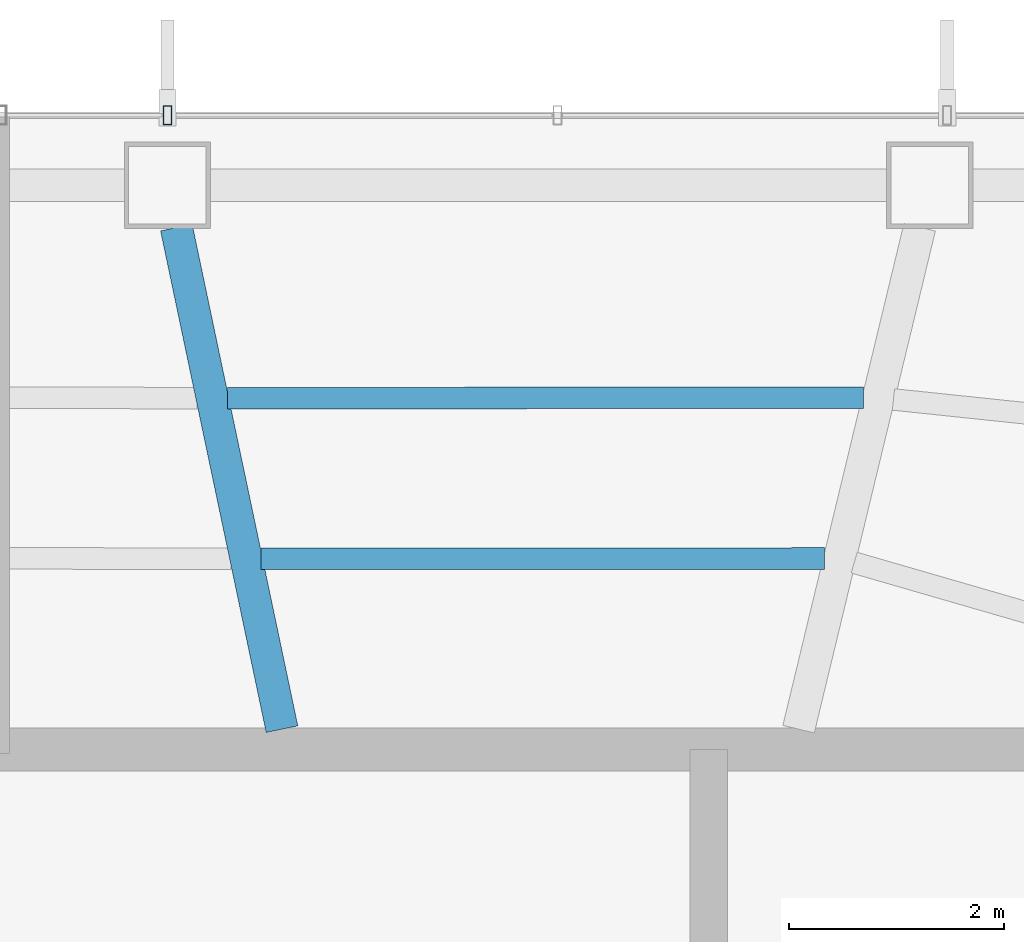
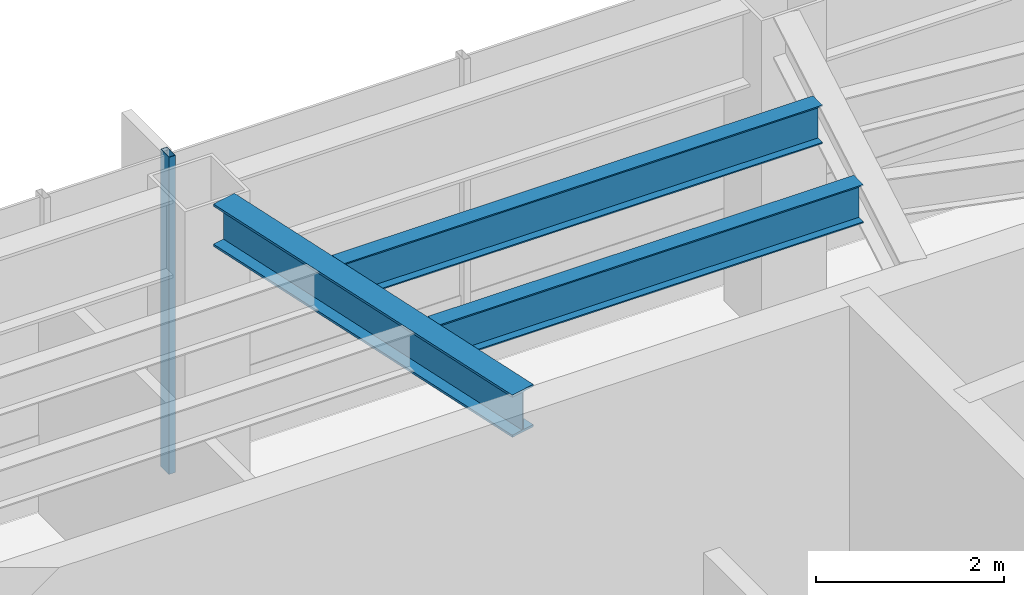
# One storey, part 12 of 27: 3 beams, 1 member, 1 element without a shape of its own.
"""IFC4 building model written with IfcOpenShell, lengths in metres."""

from ifc_helpers import new_model, si_unit, direction, frame, origin, origin_2d, place, context, subcontext, project, spatial, hollow_rectangle, i_section, extrude, material, layer, layer_set, material_profile, profile_set, type_object, element, aggregate, save


model = new_model("IFC4")

# Units and contexts
model_context = context("Model", 3, precision=1e-05, world=origin(), true_north=direction((0.0, 1.0)))
body_context = subcontext(model_context, "Body", "Model", "MODEL_VIEW")
ifc_project = project(units=[si_unit("LENGTHUNIT", "METRE"), si_unit("AREAUNIT", "SQUARE_METRE"), si_unit("VOLUMEUNIT", "CUBIC_METRE"), si_unit("PLANEANGLEUNIT", "RADIAN"), si_unit("MASSUNIT", "GRAM", prefix="KILO")], contexts=[model_context])

# Site, building, storey
site_placement = place(None, origin())
site = spatial("IfcSite", under=ifc_project, at=site_placement, CompositionType="ELEMENT")
building_placement = place(site_placement, origin())
building = spatial("IfcBuilding", under=site, at=building_placement, Name="Zarrinselat Tower", CompositionType="ELEMENT")
storey_placement = place(building_placement, frame((0.0, 0.0, 114.580078125)))
storey = spatial("IfcBuildingStorey", under=building, at=storey_placement, Name="L27", CompositionType="ELEMENT", Elevation=114.580078125)

# Beams
ifc_material_1 = material(Name="Steel S355J2", Category="steel")
ifc_material_profile_1 = material_profile(ifc_material_1, i_section(OverallWidth=0.300048828125, OverallDepth=0.550048828125, WebThickness=0.014892578125, FlangeThickness=0.029052734375, at=origin_2d()), Name="HEB 550")
ifc_profile_set_1 = profile_set([ifc_material_profile_1], Name="Steel S355J2")
beam_type_1 = type_object("IfcBeamType", Name="BM-HEB550", PredefinedType="BEAM", material=ifc_profile_set_1)
beam_1_placement = place(storey_placement, frame((40.018310546875, 48.301025390625, 3.844970703125), z_axis=(0.206090555547, -0.978532923776, 0.0), x_axis=(0.978532923776, 0.206090555547, 0.0)))
element("IfcBeam", 1, at=beam_1_placement, inside=storey, type_object=beam_type_1, Name="L27 Radial Primary Girder RG03", PredefinedType="BEAM", context=body_context, shape_type="SweptSolid", body=[
    extrude(i_section(OverallWidth=0.300048828125, OverallDepth=0.550048828125, WebThickness=0.014892578125, FlangeThickness=0.029052734375, at=origin_2d()), origin(), (0.0, 0.0, 1.0), 4.763427734375),
])
ifc_material_2 = material(Name="Steel S355J2", Category="steel")
ifc_material_profile_2 = material_profile(ifc_material_2, i_section(OverallWidth=0.199951171875, OverallDepth=0.5, WebThickness=0.01025390625, FlangeThickness=0.01611328125, at=origin_2d()), Name="IPE 500")
ifc_profile_set_2 = profile_set([ifc_material_profile_2], Name="Steel S355J2")
beam_type_2 = type_object("IfcBeamType", Name="BM-IPE500", PredefinedType="JOIST", material=ifc_profile_set_2)
beam_2_placement = place(storey_placement, frame((40.491943359375, 46.71630859375, 3.869873046875), z_axis=(0.9999999582, 0.000289136708, 0.0), x_axis=(-0.000289136708, 0.9999999582, 0.0)))
element("IfcBeam", 2, at=beam_2_placement, inside=storey, type_object=beam_type_2, Name="L27 Composite Floor Joist 7-1", PredefinedType="JOIST", context=body_context, shape_type="SweptSolid", body=[
    extrude(i_section(OverallWidth=0.199951171875, OverallDepth=0.5, WebThickness=0.01025390625, FlangeThickness=0.01611328125, at=origin_2d()), origin(), (0.0, 0.0, 1.0), 5.91064453125),
])
beam_3_placement = place(storey_placement, frame((40.80615234375, 45.224853515625, 3.869873046875), z_axis=(0.999999990218, 0.00013987318, 0.0), x_axis=(-0.00013987318, 0.999999990218, 0.0)))
element("IfcBeam", 3, at=beam_3_placement, inside=storey, type_object=beam_type_2, Name="L27 Composite Floor Joist 7-2", PredefinedType="JOIST", context=body_context, shape_type="SweptSolid", body=[
    extrude(i_section(OverallWidth=0.199951171875, OverallDepth=0.5, WebThickness=0.01025390625, FlangeThickness=0.01611328125, at=origin_2d()), origin(), (0.0, 0.0, 1.0), 5.236328125),
])

# Curtain wall, member
ifc_material_3 = material(Name="Extruded Aluminium Alloy EN AW-6063 T6", Category="aluminium")
ifc_layer = layer(ifc_material_3, 0.195068359375)
ifc_layer_set = layer_set([ifc_layer], Name="Extruded Aluminium Alloy EN AW-6063 T6")
curtain_wall_type = type_object("IfcCurtainWallType", Name="CWS-GDN", PredefinedType="NOTDEFINED", material=ifc_layer_set)
curtain_wall_placement = place(storey_placement, origin())
curtain_wall = element("IfcCurtainWall", 4, at=curtain_wall_placement, inside=storey, type_object=curtain_wall_type, Name="L27 Unitised Curtain Wall CW-L27-E04", PredefinedType="NOTDEFINED")
ifc_material_4 = material(Name="Extruded Aluminium Alloy EN AW-6063 T6", Category="aluminium")
ifc_material_profile_3 = material_profile(ifc_material_4, hollow_rectangle(XDim=0.080078125, YDim=0.179931640625, WallThickness=0.0048828125, at=origin_2d()), Name="RHS 180x80x5")
ifc_profile_set_3 = profile_set([ifc_material_profile_3], Name="Extruded Aluminium Alloy EN AW-6063 T6")
member_type = type_object("IfcMemberType", Name="MEM-CW-MUL", PredefinedType="MULLION", material=ifc_profile_set_3)
member_placement = place(storey_placement, frame((39.935302734375, 49.344482421875, 0.0), z_axis=(0.0, 0.0, 1.0), x_axis=(1.0, 0.0, 0.0)))
member = element("IfcMember", 5, at=member_placement, type_object=member_type, Name="CW-L27-E04 Mullion 5", PredefinedType="MULLION", context=body_context, shape_type="SweptSolid", body=[
    extrude(hollow_rectangle(XDim=0.080078125, YDim=0.179931640625, WallThickness=0.0048828125, at=origin_2d()), origin(), (0.0, 0.0, 1.0), 4.119873046875),
])
aggregate(curtain_wall, [member])

save(model, "model.ifc")
